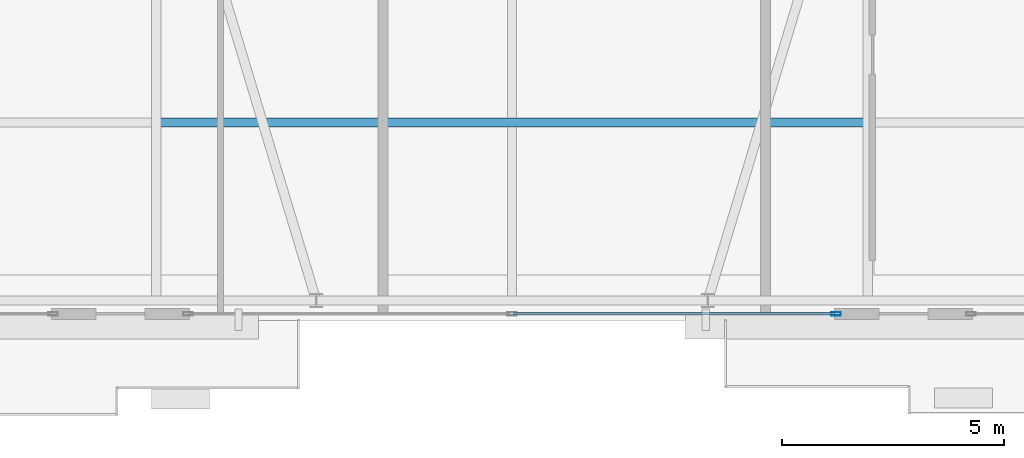
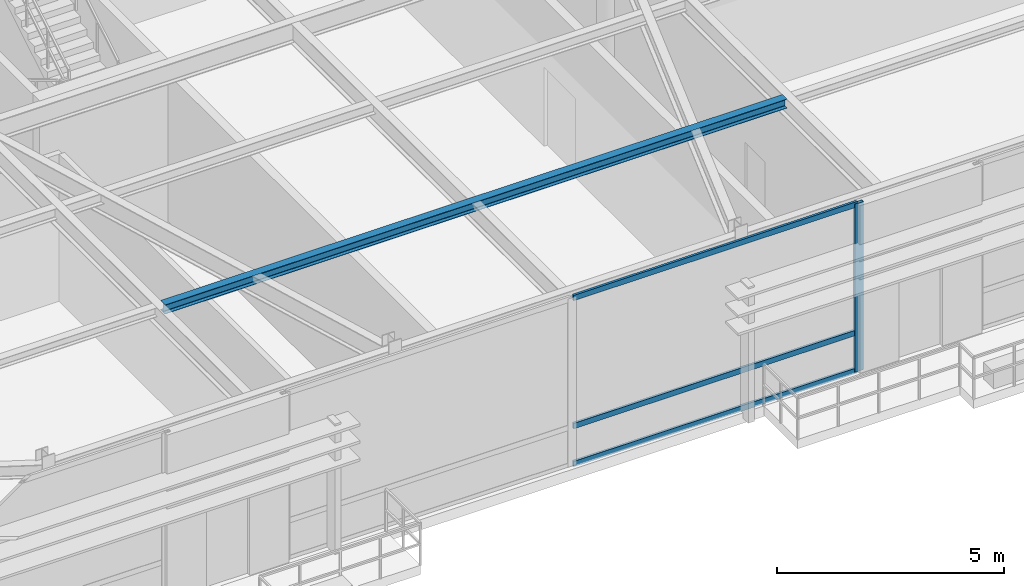
# One storey, part 7 of 22: 4 members, 1 beam, 1 element without a shape of its own.
"""IFC4 building model written with IfcOpenShell, lengths in metres."""

from ifc_helpers import new_model, si_unit, direction, frame, origin, origin_2d, place, context, subcontext, project, spatial, hollow_rectangle, i_section, extrude, source, transform, mapped, material, layer, layer_set, material_profile, profile_set, type_object, type_shapes, element, aggregate, save


model = new_model("IFC4")

# Units and contexts
model_context = context("Model", 3, precision=1e-05, world=origin(), true_north=direction((0.0, 1.0)))
body_context = subcontext(model_context, "Body", "Model", "MODEL_VIEW")
ifc_project = project(units=[si_unit("LENGTHUNIT", "METRE"), si_unit("AREAUNIT", "SQUARE_METRE"), si_unit("VOLUMEUNIT", "CUBIC_METRE"), si_unit("PLANEANGLEUNIT", "RADIAN"), si_unit("MASSUNIT", "GRAM", prefix="KILO")], contexts=[model_context])

# Site, building, storey
site_placement = place(None, origin())
site = spatial("IfcSite", under=ifc_project, at=site_placement, CompositionType="ELEMENT")
building_placement = place(site_placement, origin())
building = spatial("IfcBuilding", under=site, at=building_placement, Name="Varnel Quay Broadcast Tower", CompositionType="ELEMENT")
storey_placement = place(building_placement, frame((0.0, 0.0, 305.0)))
storey = spatial("IfcBuildingStorey", under=building, at=storey_placement, Name="L76", CompositionType="ELEMENT", Elevation=305.0)

# Beam
ifc_material_1 = material(Name="Structural Steel CSA G40.21 350W", Category="steel")
ifc_material_profile_1 = material_profile(ifc_material_1, i_section(OverallWidth=0.201904296875, OverallDepth=0.2470703125, WebThickness=0.00732421875, FlangeThickness=0.010986328125, FilletRadius=0.010986328125, at=origin_2d()), Name="W250X49")
ifc_profile_set_1 = profile_set([ifc_material_profile_1], Name="Structural Steel CSA G40.21 350W")
beam_type = type_object("IfcBeamType", Name="Beam_W250X49", PredefinedType="JOIST", material=ifc_profile_set_1)
shared_shape_1 = source(origin(), body_context, "Body", "SweptSolid", [
    extrude(i_section(OverallWidth=0.201904296875, OverallDepth=0.2470703125, WebThickness=0.00732421875, FlangeThickness=0.010986328125, FilletRadius=0.010986328125, at=origin_2d()), origin(), (0.0, 0.0, 1.0), 15.7978515625),
])
type_shapes(beam_type, [shared_shape_1])
beam_placement = place(storey_placement, frame((26.10107421875, 17.64990234375, 4.396484375), z_axis=(1.0, 0.0, 0.0), x_axis=(0.0, 1.0, 0.0)))
element("IfcBeam", 1, at=beam_placement, inside=storey, type_object=beam_type, Name="L76 Central Floor Joist 1", PredefinedType="JOIST", context=body_context, shape_type="MappedRepresentation", body=[
    mapped(shared_shape_1, transform((0.0, 0.0, 0.0), x_axis=(1.0, 0.0, 0.0), y_axis=(0.0, 1.0, 0.0), z_axis=(0.0, 0.0, 1.0), scale=1.0)),
])

# Curtain wall, members
ifc_material_2 = material(Name="Anodised Bronze Aluminium 6063-T6", Category="aluminium")
ifc_layer = layer(ifc_material_2, 0.18994140625, Name="Anodised Bronze Aluminium 6063-T6")
ifc_layer_set = layer_set([ifc_layer], Name="Anodised Bronze Aluminium 6063-T6")
curtain_wall_type = type_object("IfcCurtainWallType", Name="CW_SkyObsHighVis", PredefinedType="NOTDEFINED", material=ifc_layer_set)
curtain_wall_placement = place(storey_placement, origin())
curtain_wall = element("IfcCurtainWall", 2, at=curtain_wall_placement, inside=storey, type_object=curtain_wall_type, Name="L76 South Unitised Curtain Wall 2", PredefinedType="NOTDEFINED")
ifc_material_profile_2 = material_profile(ifc_material_2, hollow_rectangle(XDim=0.074951171875, YDim=0.219970703125, WallThickness=0.00390625, at=origin_2d()), Name="ALU75X220X4")
ifc_profile_set_2 = profile_set([ifc_material_profile_2], Name="Anodised Bronze Aluminium 6063-T6")
member_type_1 = type_object("IfcMemberType", Name="Mull_CWS-05", PredefinedType="MULLION", material=ifc_profile_set_2)
shared_shape_2 = source(origin(), body_context, "Body", "SweptSolid", [
    extrude(hollow_rectangle(XDim=0.074951171875, YDim=0.219970703125, WallThickness=0.00390625, at=origin_2d()), origin(), (0.0, 0.0, 1.0), 4.52001953125),
])
type_shapes(member_type_1, [shared_shape_2])
member_1_placement = place(storey_placement, frame((41.282470703125, 13.35009765625, 0.0), z_axis=(0.0, 0.0, 1.0), x_axis=(0.0, 1.0, 0.0)))
member_1 = element("IfcMember", 3, at=member_1_placement, type_object=member_type_1, Name="CWS-05 mullion 3", PredefinedType="MULLION", context=body_context, shape_type="MappedRepresentation", body=[
    mapped(shared_shape_2, transform((0.0, 0.0, 0.0), x_axis=(1.0, 0.0, 0.0), y_axis=(0.0, 1.0, 0.0), z_axis=(0.0, 0.0, 1.0), scale=1.0)),
])
ifc_material_profile_3 = material_profile(ifc_material_2, hollow_rectangle(XDim=0.06005859375, YDim=0.14501953125, WallThickness=0.00341796875, at=origin_2d()), Name="ALU60X145X3.5")
ifc_profile_set_3 = profile_set([ifc_material_profile_3], Name="Anodised Bronze Aluminium 6063-T6")
member_type_2 = type_object("IfcMemberType", Name="Tran_CWS-05", PredefinedType="USERDEFINED", material=ifc_profile_set_3)
shared_shape_3 = source(origin(), body_context, "Body", "SweptSolid", [
    extrude(hollow_rectangle(XDim=0.06005859375, YDim=0.14501953125, WallThickness=0.00341796875, at=origin_2d()), origin(), (0.0, 0.0, 1.0), 7.20751953125),
])
type_shapes(member_type_2, [shared_shape_3])
member_2_placement = place(storey_placement, frame((34.03759765625, 13.35009765625, 0.030029296875), z_axis=(1.0, 0.0, 0.0), x_axis=(0.0, 1.0, 0.0)))
member_2 = element("IfcMember", 4, at=member_2_placement, type_object=member_type_2, Name="CWS-05 transom 2.1", ObjectType="TRANSOM", PredefinedType="USERDEFINED", context=body_context, shape_type="MappedRepresentation", body=[
    mapped(shared_shape_3, transform((0.0, 0.0, 0.0), x_axis=(1.0, 0.0, 0.0), y_axis=(0.0, 1.0, 0.0), z_axis=(0.0, 0.0, 1.0), scale=1.0)),
])
member_3_placement = place(storey_placement, frame((34.03759765625, 13.35009765625, 1.050048828125), z_axis=(1.0, 0.0, 0.0), x_axis=(0.0, 1.0, 0.0)))
member_3 = element("IfcMember", 5, at=member_3_placement, type_object=member_type_2, Name="CWS-05 transom 2.2", ObjectType="TRANSOM", PredefinedType="USERDEFINED", context=body_context, shape_type="MappedRepresentation", body=[
    mapped(shared_shape_3, transform((0.0, 0.0, 0.0), x_axis=(1.0, 0.0, 0.0), y_axis=(0.0, 1.0, 0.0), z_axis=(0.0, 0.0, 1.0), scale=1.0)),
])
member_4_placement = place(storey_placement, frame((34.03759765625, 13.35009765625, 4.489990234375), z_axis=(1.0, 0.0, 0.0), x_axis=(0.0, 1.0, 0.0)))
member_4 = element("IfcMember", 6, at=member_4_placement, type_object=member_type_2, Name="CWS-05 transom 2.3", ObjectType="TRANSOM", PredefinedType="USERDEFINED", context=body_context, shape_type="MappedRepresentation", body=[
    mapped(shared_shape_3, transform((0.0, 0.0, 0.0), x_axis=(1.0, 0.0, 0.0), y_axis=(0.0, 1.0, 0.0), z_axis=(0.0, 0.0, 1.0), scale=1.0)),
])
aggregate(curtain_wall, [member_1, member_2, member_3, member_4])

save(model, "model.ifc")
